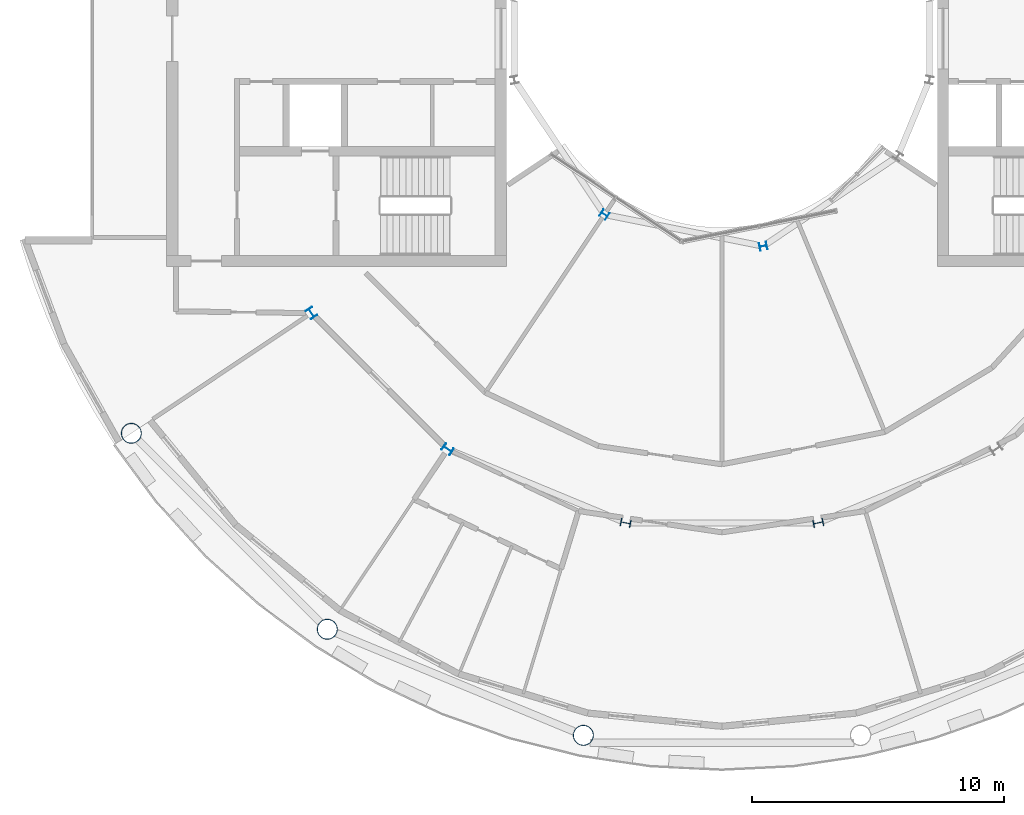
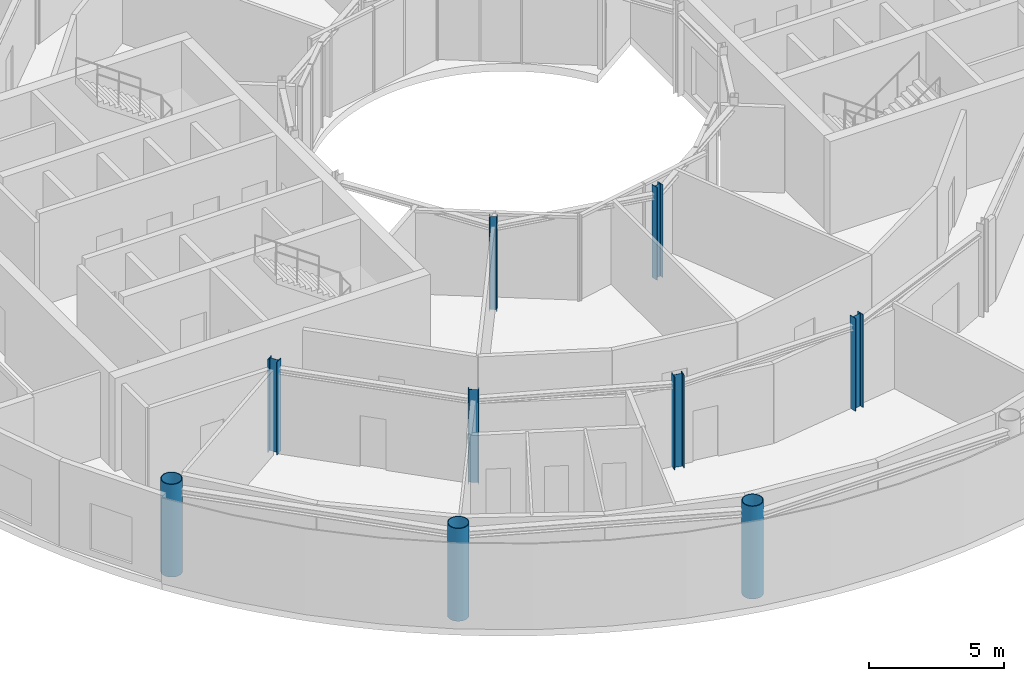
# One storey, part 1 of 22: 9 columns.
"""IFC4 building model written with IfcOpenShell, lengths in metres."""

from ifc_helpers import new_model, si_unit, direction, frame, origin, origin_2d, place, context, subcontext, project, spatial, hollow_circle, i_section, extrude, material, material_profile, profile_set, type_object, element, save


model = new_model("IFC4")

# Units and contexts
model_context = context("Model", 3, precision=1e-05, world=origin(), true_north=direction((0.0, 1.0)))
body_context = subcontext(model_context, "Body", "Model", "MODEL_VIEW")
ifc_project = project(units=[si_unit("LENGTHUNIT", "METRE"), si_unit("AREAUNIT", "SQUARE_METRE"), si_unit("VOLUMEUNIT", "CUBIC_METRE"), si_unit("PLANEANGLEUNIT", "RADIAN"), si_unit("MASSUNIT", "GRAM", prefix="KILO")], contexts=[model_context])

# Site, building, storey
site_placement = place(None, origin())
site = spatial("IfcSite", under=ifc_project, at=site_placement, CompositionType="ELEMENT")
building_placement = place(site_placement, origin())
building = spatial("IfcBuilding", under=site, at=building_placement, Name="Maasbend Ring Residences", CompositionType="ELEMENT")
storey_placement = place(building_placement, frame((0.0, 0.0, 208.5)))
storey = spatial("IfcBuildingStorey", under=building, at=storey_placement, Name="L60", CompositionType="ELEMENT", Elevation=208.5)

# Columns
ifc_material_1 = material(Name="Composite concrete-filled steel tube S460NH / C80/95", Category="concrete")
ifc_material_profile_1 = material_profile(ifc_material_1, hollow_circle(Radius=0.406494140625, WallThickness=0.030029296875, at=origin_2d()), Name="Composite tube column CHS 813x30")
ifc_profile_set_1 = profile_set([ifc_material_profile_1], Name="Composite concrete-filled steel tube S460NH / C80/95")
column_type_1 = type_object("IfcColumnType", Name="Composite tube column CHS 813x30", PredefinedType="COLUMN", material=ifc_profile_set_1)
for number, where, z_axis, x_axis, name in (
    (1, (-23.447509765625, -15.6669921875, 0.0), (0.0, 0.0, 1.0), (1.0, 0.0, 0.0), "Outer column R10"),
    (2, (-15.6669921875, -23.447509765625, 0.0), (0.0, 0.0, 1.0), (1.0, 0.0, 0.0), "Outer column R11"),
    (3, (-5.50146484375, -27.658203125, 0.0), (0.0, 0.0, 1.0), (1.0, 0.0, 0.0), "Outer column R12"),
):
    element("IfcColumn", number, at=place(storey_placement, frame(where, z_axis=z_axis, x_axis=x_axis)), inside=storey, type_object=column_type_1, Name=name, PredefinedType="COLUMN", context=body_context, shape_type="SweptSolid", body=[
        extrude(hollow_circle(Radius=0.406494140625, WallThickness=0.030029296875, at=origin_2d()), origin(), (0.0, 0.0, 1.0), 4.199951171875),
    ])
ifc_material_2 = material(Name="Steel S355J2", Category="steel")
ifc_material_profile_2 = material_profile(ifc_material_2, i_section(OverallWidth=0.300048828125, OverallDepth=0.2900390625, WebThickness=0.008544921875, FlangeThickness=0.013916015625, FilletRadius=0.027099609375, at=origin_2d()), Name="HEA 300")
ifc_profile_set_2 = profile_set([ifc_material_profile_2], Name="Steel S355J2")
column_type_2 = type_object("IfcColumnType", Name="Steel column HEA 300", PredefinedType="COLUMN", material=ifc_profile_set_2)
for number, where, z_axis, x_axis, name in (
    (4, (-4.666748046875, -6.984375, 0.0), (0.0, 0.0, 1.0), (-0.55557023302, -0.831469612303, 0.0), "Well ring column R11"),
    (5, (1.638916015625, -8.238525390625, 0.0), (0.0, 0.0, 1.0), (0.195090322016, -0.980785280403, 0.0), "Well ring column R13"),
):
    element("IfcColumn", number, at=place(storey_placement, frame(where, z_axis=z_axis, x_axis=x_axis)), inside=storey, type_object=column_type_2, Name=name, PredefinedType="COLUMN", context=body_context, shape_type="SweptSolid", body=[
        extrude(i_section(OverallWidth=0.300048828125, OverallDepth=0.2900390625, WebThickness=0.008544921875, FlangeThickness=0.013916015625, FilletRadius=0.027099609375, at=origin_2d()), origin(), (0.0, 0.0, 1.0), 4.199951171875),
    ])
ifc_material_3 = material(Name="Steel S355J2", Category="steel")
ifc_material_profile_3 = material_profile(ifc_material_3, i_section(OverallWidth=0.300048828125, OverallDepth=0.39990234375, WebThickness=0.013427734375, FlangeThickness=0.02392578125, FilletRadius=0.027099609375, at=origin_2d()), Name="HEB 400")
ifc_profile_set_3 = profile_set([ifc_material_profile_3], Name="Steel S355J2")
column_type_3 = type_object("IfcColumnType", Name="Steel column HEB 400", PredefinedType="COLUMN", material=ifc_profile_set_3)
for number, where, z_axis, x_axis, name in (
    (6, (-16.296875, -10.88916015625, 0.0), (0.0, 0.0, 1.0), (-0.831469612303, -0.55557023302, 0.0), "Corridor ring column R10"),
    (7, (-10.88916015625, -16.296875, 0.0), (0.0, 0.0, 1.0), (-0.55557023302, -0.831469612303, 0.0), "Corridor ring column R11"),
    (8, (-3.82373046875, -19.223388671875, 0.0), (0.0, 0.0, 1.0), (-0.195090322016, -0.980785280403, 0.0), "Corridor ring column R12"),
    (9, (3.82373046875, -19.223388671875, 0.0), (0.0, 0.0, 1.0), (0.195090322016, -0.980785280403, 0.0), "Corridor ring column R13"),
):
    element("IfcColumn", number, at=place(storey_placement, frame(where, z_axis=z_axis, x_axis=x_axis)), inside=storey, type_object=column_type_3, Name=name, PredefinedType="COLUMN", context=body_context, shape_type="SweptSolid", body=[
        extrude(i_section(OverallWidth=0.300048828125, OverallDepth=0.39990234375, WebThickness=0.013427734375, FlangeThickness=0.02392578125, FilletRadius=0.027099609375, at=origin_2d()), origin(), (0.0, 0.0, 1.0), 4.199951171875),
    ])

save(model, "model.ifc")
